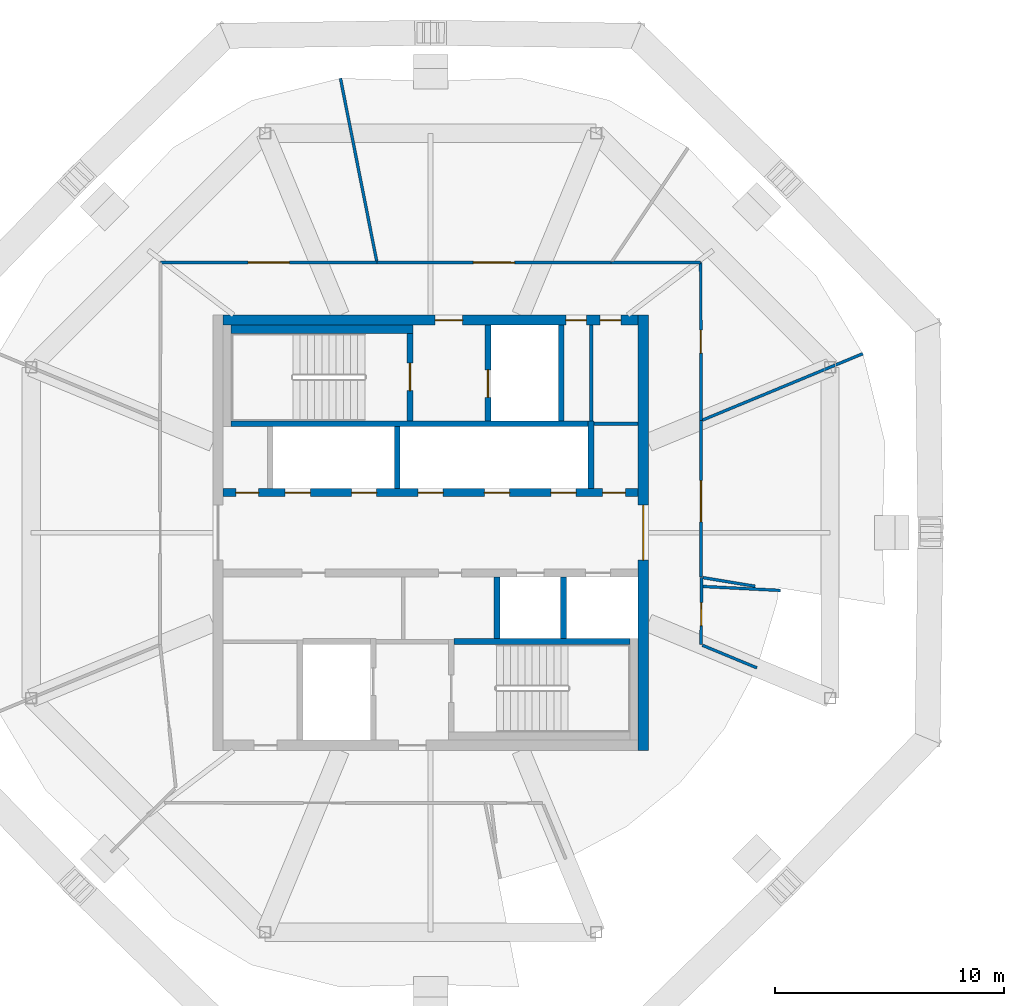
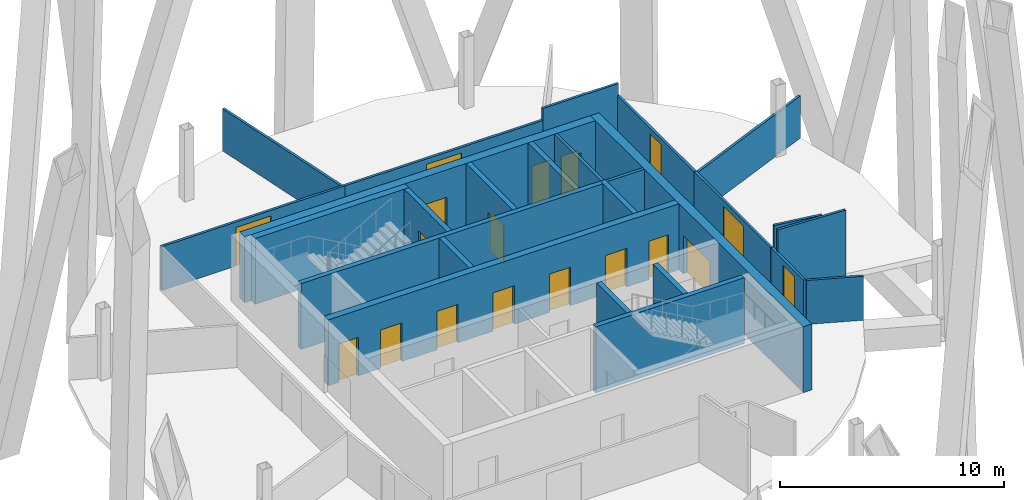
# One storey, part 5 of 11: 26 walls, 18 doors, 18 openings.
"""IFC4 building model written with IfcOpenShell, lengths in metres."""

from ifc_helpers import new_model, si_unit, direction, frame, frame_2d, origin, place, context, subcontext, project, spatial, rectangle, extrude, material, layer, layer_set, type_object, element, fill, save


model = new_model("IFC4")

# Units and contexts
model_context = context("Model", 3, precision=1e-05, world=origin(), true_north=direction((0.0, 1.0)))
body_context = subcontext(model_context, "Body", "Model", "MODEL_VIEW")
ifc_project = project(units=[si_unit("LENGTHUNIT", "METRE"), si_unit("AREAUNIT", "SQUARE_METRE"), si_unit("VOLUMEUNIT", "CUBIC_METRE"), si_unit("PLANEANGLEUNIT", "RADIAN"), si_unit("MASSUNIT", "GRAM", prefix="KILO")], contexts=[model_context])

# Site, building, storey
site_placement = place(None, origin())
site = spatial("IfcSite", under=ifc_project, at=site_placement, CompositionType="ELEMENT")
building_placement = place(site_placement, origin())
building = spatial("IfcBuilding", under=site, at=building_placement, Name="Ogive Gate Towers", CompositionType="ELEMENT")
storey_placement = place(building_placement, frame((0.0, 0.0, 244.5)))
storey = spatial("IfcBuildingStorey", under=building, at=storey_placement, Name="L58", CompositionType="ELEMENT", Elevation=244.5)

# Wall, openings, doors
ifc_material_1 = material(Name="Concrete C60/75", Category="concrete")
ifc_layer_1 = layer(ifc_material_1, 0.449951171875)
ifc_layer_set_1 = layer_set([ifc_layer_1], Name="Core wall 450 mm")
wall_type_1 = type_object("IfcWallType", Name="Core wall 450 mm", PredefinedType="SHEAR", material=ifc_layer_set_1)
wall_1_placement = place(storey_placement, frame((-45.050048828125, 9.27490234375, 0.0), z_axis=(0.0, 0.0, 1.0), x_axis=(1.0, 0.0, 0.0)))
wall_1 = element("IfcWall", 1, at=wall_1_placement, inside=storey, type_object=wall_type_1, Name="T1 L58 Core wall 450 mm", PredefinedType="SHEAR", context=body_context, shape_type="SweptSolid", body=[
    extrude(rectangle(XDim=18.10009765625, YDim=0.449951171875, at=frame_2d((9.050048828125, 0.0))), origin(), (0.0, 0.0, 1.0), 3.60009765625),
])
opening_1_placement = place(wall_1_placement, frame((9.25, 0.0, 0.0)))
opening_1 = element("IfcOpeningElement", 2, at=opening_1_placement, cuts=wall_1, Name="Opening KD-T1-L58-18", PredefinedType="OPENING", context=body_context, shape_type="SweptSolid", body=[
    extrude(rectangle(XDim=1.199951171875, YDim=2.10009765625, at=frame_2d((0.60009765625, 1.050048828125))), frame((0.0, 0.23486328125, 0.0), z_axis=(0.0, -1.0, 0.0), x_axis=(1.0, 0.0, 0.0)), (0.0, 0.0, 1.0), 0.469970703125),
])
opening_2_placement = place(wall_1_placement, frame((14.949951171875, 0.0, 0.0)))
opening_2 = element("IfcOpeningElement", 3, at=opening_2_placement, cuts=wall_1, Name="Opening KD-T1-L58-20", PredefinedType="OPENING", context=body_context, shape_type="SweptSolid", body=[
    extrude(rectangle(XDim=0.89990234375, YDim=2.10009765625, at=frame_2d((0.449951171875, 1.050048828125))), frame((0.0, 0.23486328125, 0.0), z_axis=(0.0, -1.0, 0.0), x_axis=(1.0, 0.0, 0.0)), (0.0, 0.0, 1.0), 0.469970703125),
])
opening_3_placement = place(wall_1_placement, frame((16.449951171875, 0.0, 0.0)))
opening_3 = element("IfcOpeningElement", 4, at=opening_3_placement, cuts=wall_1, Name="Opening KD-T1-L58-21", PredefinedType="OPENING", context=body_context, shape_type="SweptSolid", body=[
    extrude(rectangle(XDim=0.89990234375, YDim=2.10009765625, at=frame_2d((0.449951171875, 1.050048828125))), frame((0.0, 0.23486328125, 0.0), z_axis=(0.0, -1.0, 0.0), x_axis=(1.0, 0.0, 0.0)), (0.0, 0.0, 1.0), 0.469970703125),
])
ifc_material_2 = material(Name="Timber door", Category="wood")
door_type_1 = type_object("IfcDoorType", Name="Core WC door 900 x 2100", OperationType="NOTDEFINED", PredefinedType="DOOR", material=ifc_material_2)
door_1_placement = place(opening_2_placement, origin())
door_1 = element("IfcDoor", 5, at=door_1_placement, inside=storey, type_object=door_type_1, Name="T1 L58 Core door", OperationType="SINGLE_SWING_LEFT", OverallHeight=2.10009765625, OverallWidth=0.89990234375, PredefinedType="DOOR", context=body_context, shape_type="SweptSolid", body=[
    extrude(rectangle(XDim=0.89990234375, YDim=2.10009765625, at=frame_2d((0.449951171875, 1.050048828125))), frame((0.0, 0.02490234375, 0.0), z_axis=(0.0, -1.0, 0.0), x_axis=(1.0, 0.0, 0.0)), (0.0, 0.0, 1.0), 0.050048828125),
])
fill(opening_2, door_1)
door_2_placement = place(opening_3_placement, origin())
door_2 = element("IfcDoor", 6, at=door_2_placement, inside=storey, type_object=door_type_1, Name="T1 L58 Core door", OperationType="SINGLE_SWING_RIGHT", OverallHeight=2.10009765625, OverallWidth=0.89990234375, PredefinedType="DOOR", context=body_context, shape_type="SweptSolid", body=[
    extrude(rectangle(XDim=0.89990234375, YDim=2.10009765625, at=frame_2d((0.449951171875, 1.050048828125))), frame((0.0, 0.02490234375, 0.0), z_axis=(0.0, -1.0, 0.0), x_axis=(1.0, 0.0, 0.0)), (0.0, 0.0, 1.0), 0.050048828125),
])
fill(opening_3, door_2)
ifc_material_3 = material(Name="Steel fire door", Category="steel")
door_type_2 = type_object("IfcDoorType", Name="Core door FD60S 1200 x 2100", OperationType="NOTDEFINED", PredefinedType="DOOR", material=ifc_material_3)
door_3_placement = place(opening_1_placement, origin())
door_3 = element("IfcDoor", 7, at=door_3_placement, inside=storey, type_object=door_type_2, Name="T1 L58 Fire-fighting lobby door", OperationType="SINGLE_SWING_LEFT", OverallHeight=2.10009765625, OverallWidth=1.199951171875, PredefinedType="DOOR", context=body_context, shape_type="SweptSolid", body=[
    extrude(rectangle(XDim=1.199951171875, YDim=2.10009765625, at=frame_2d((0.60009765625, 1.050048828125))), frame((0.0, 0.02490234375, 0.0), z_axis=(0.0, -1.0, 0.0), x_axis=(1.0, 0.0, 0.0)), (0.0, 0.0, 1.0), 0.050048828125),
])
fill(opening_1, door_3)

# Wall, opening, door
wall_2_placement = place(storey_placement, frame((-26.72509765625, -9.5, 0.0), z_axis=(0.0, 0.0, 1.0), x_axis=(0.0, 1.0, 0.0)))
wall_2 = element("IfcWall", 8, at=wall_2_placement, inside=storey, type_object=wall_type_1, Name="T1 L58 Core wall 450 mm", PredefinedType="SHEAR", context=body_context, shape_type="SweptSolid", body=[
    extrude(rectangle(XDim=19.0, YDim=0.449951171875, at=frame_2d((9.5, 0.0))), origin(), (0.0, 0.0, 1.0), 3.60009765625),
])
opening_4_placement = place(wall_2_placement, frame((8.300048828125, 0.0, 0.0)))
opening_4 = element("IfcOpeningElement", 9, at=opening_4_placement, cuts=wall_2, Name="Opening KD-T1-L58-02", PredefinedType="OPENING", context=body_context, shape_type="SweptSolid", body=[
    extrude(rectangle(XDim=2.39990234375, YDim=2.10009765625, at=frame_2d((1.199951171875, 1.050048828125))), frame((0.0, 0.23486328125, 0.0), z_axis=(0.0, -1.0, 0.0), x_axis=(1.0, 0.0, 0.0)), (0.0, 0.0, 1.0), 0.469970703125),
])
door_type_3 = type_object("IfcDoorType", Name="Core double door FD60S 2400 x 2100", OperationType="DOUBLE_DOOR_SINGLE_SWING", PredefinedType="DOOR", material=ifc_material_3)
door_4_placement = place(opening_4_placement, origin())
door_4 = element("IfcDoor", 10, at=door_4_placement, inside=storey, type_object=door_type_3, Name="T1 L58 Core door double", OperationType="DOUBLE_DOOR_SINGLE_SWING", OverallHeight=2.10009765625, OverallWidth=2.39990234375, PredefinedType="DOOR", context=body_context, shape_type="SweptSolid", body=[
    extrude(rectangle(XDim=2.39990234375, YDim=2.10009765625, at=frame_2d((1.199951171875, 1.050048828125))), frame((0.0, 0.02490234375, 0.0), z_axis=(0.0, -1.0, 0.0), x_axis=(1.0, 0.0, 0.0)), (0.0, 0.0, 1.0), 0.050048828125),
])
fill(opening_4, door_4)

# Walls
ifc_material_4 = material(Name="Gypsum board partition")
ifc_layer_2 = layer(ifc_material_4, 0.125)
ifc_layer_set_2 = layer_set([ifc_layer_2], Name="Partition 125")
wall_type_2 = type_object("IfcWallType", Name="Partition 125", PredefinedType="PARTITIONING", material=ifc_layer_set_2)
wall_3_placement = place(storey_placement, frame((-17.1435546875, 7.810546875, 0.0), z_axis=(0.0, 0.0, 1.0), x_axis=(-0.923878587447, -0.382685713945, 0.0)))
element("IfcWall", 11, at=wall_3_placement, inside=storey, type_object=wall_type_2, Name="Partition T1-L58-001", PredefinedType="PARTITIONING", context=body_context, shape_type="SweptSolid", body=[
    extrude(rectangle(XDim=7.576416015625, YDim=0.125, at=frame_2d((3.7880859375, 0.0))), origin(), (0.0, 0.0, 1.0), 2.300048828125),
])
wall_4_placement = place(storey_placement, frame((-39.93408203125, 19.822998046875, 0.0), z_axis=(0.0, 0.0, 1.0), x_axis=(0.194671599634, -0.980868476553, 0.0)))
element("IfcWall", 12, at=wall_4_placement, inside=storey, type_object=wall_type_2, Name="Partition T1-L58-003", PredefinedType="PARTITIONING", context=body_context, shape_type="SweptSolid", body=[
    extrude(rectangle(XDim=8.126708984375, YDim=0.125, at=frame_2d((4.0634765625, 0.0))), origin(), (0.0, 0.0, 1.0), 2.300048828125),
])
wall_5_placement = place(storey_placement, frame((-21.763427734375, -5.89697265625, 0.0), z_axis=(0.0, 0.0, 1.0), x_axis=(-0.923865536241, 0.382717220603, 0.0)))
element("IfcWall", 13, at=wall_5_placement, inside=storey, type_object=wall_type_2, Name="Partition T1-L58-010", PredefinedType="PARTITIONING", context=body_context, shape_type="SweptSolid", body=[
    extrude(rectangle(XDim=2.576416015625, YDim=0.125, at=frame_2d((1.2880859375, 0.0))), origin(), (0.0, 0.0, 1.0), 2.39990234375),
])
wall_6_placement = place(storey_placement, frame((-20.737548828125, -2.5185546875, 0.0), z_axis=(0.0, 0.0, 1.0), x_axis=(-0.99869028618, 0.051163583637, 0.0)))
element("IfcWall", 14, at=wall_6_placement, inside=storey, type_object=wall_type_2, Name="Partition T1-L58-011", PredefinedType="PARTITIONING", context=body_context, shape_type="SweptSolid", body=[
    extrude(rectangle(XDim=3.41650390625, YDim=0.125, at=frame_2d((1.708251953125, 0.0))), origin(), (0.0, 0.0, 1.0), 3.60009765625),
])
wall_7_placement = place(storey_placement, frame((-21.844482421875, -2.3359375, 0.0), z_axis=(0.0, 0.0, 1.0), x_axis=(-0.986650274998, 0.162853415212, 0.0)))
element("IfcWall", 15, at=wall_7_placement, inside=storey, type_object=wall_type_2, Name="Partition T1-L58-012", PredefinedType="PARTITIONING", context=body_context, shape_type="SweptSolid", body=[
    extrude(rectangle(XDim=2.3056640625, YDim=0.125, at=frame_2d((1.15283203125, 0.0))), origin(), (0.0, 0.0, 1.0), 3.60009765625),
])

# Wall, opening, door
wall_8_placement = place(storey_placement, frame((-24.180908203125, -1.950439453125, 0.0), z_axis=(0.0, 0.0, 1.0), x_axis=(-0.007066667577, -0.999975030793, 0.0)))
wall_8 = element("IfcWall", 16, at=wall_8_placement, inside=storey, type_object=wall_type_2, Name="Partition T1-L58-013", PredefinedType="PARTITIONING", context=body_context, shape_type="SweptSolid", body=[
    extrude(rectangle(XDim=2.9365234375, YDim=0.125, at=frame_2d((1.46826171875, 0.0))), origin(), (0.0, 0.0, 1.0), 2.39990234375),
])
opening_5_placement = place(wall_8_placement, frame((1.10205078125, 0.0, 0.0)))
opening_5 = element("IfcOpeningElement", 17, at=opening_5_placement, cuts=wall_8, Name="Opening T1-L58-D01", PredefinedType="OPENING", context=body_context, shape_type="SweptSolid", body=[
    extrude(rectangle(XDim=1.0, YDim=2.10009765625, at=frame_2d((0.5, 1.050048828125))), frame((0.0, 0.072509765625, 0.0), z_axis=(0.0, -1.0, 0.0), x_axis=(1.0, 0.0, 0.0)), (0.0, 0.0, 1.0), 0.14501953125),
])
door_type_4 = type_object("IfcDoorType", Name="Door 1000", OperationType="NOTDEFINED", PredefinedType="DOOR", material=ifc_material_2)
door_5_placement = place(opening_5_placement, origin())
door_5 = element("IfcDoor", 18, at=door_5_placement, inside=storey, type_object=door_type_4, Name="Door T1-L58-D01", OperationType="SINGLE_SWING_LEFT", OverallHeight=2.10009765625, OverallWidth=1.0, PredefinedType="DOOR", context=body_context, shape_type="SweptSolid", body=[
    extrude(rectangle(XDim=1.0, YDim=2.10009765625, at=frame_2d((0.5, 1.050048828125))), frame((0.0, 0.02490234375, 0.0), z_axis=(0.0, -1.0, 0.0), x_axis=(1.0, 0.0, 0.0)), (0.0, 0.0, 1.0), 0.050048828125),
])
fill(opening_5, door_5)

wall_9_placement = place(storey_placement, frame((-47.780029296875, 11.780029296875, 0.0), z_axis=(0.0, 0.0, 1.0), x_axis=(0.999999381663, 0.001112058691, 0.0)))
wall_9 = element("IfcWall", 19, at=wall_9_placement, inside=storey, type_object=wall_type_2, Name="Partition T1-L58-018", PredefinedType="PARTITIONING", context=body_context, shape_type="SweptSolid", body=[
    extrude(rectangle(XDim=9.440185546875, YDim=0.125, at=frame_2d((4.72021484375, 0.0))), origin(), (0.0, 0.0, 1.0), 2.39990234375),
])
opening_6_placement = place(wall_9_placement, frame((3.820068359375, 0.0, 0.0)))
opening_6 = element("IfcOpeningElement", 20, at=opening_6_placement, cuts=wall_9, Name="Opening T1-L58-D06", PredefinedType="OPENING", context=body_context, shape_type="SweptSolid", body=[
    extrude(rectangle(XDim=1.800048828125, YDim=2.10009765625, at=frame_2d((0.89990234375, 1.050048828125))), frame((0.0, 0.072509765625, 0.0), z_axis=(0.0, -1.0, 0.0), x_axis=(1.0, 0.0, 0.0)), (0.0, 0.0, 1.0), 0.14501953125),
])
door_type_5 = type_object("IfcDoorType", Name="Door pair 1800", OperationType="NOTDEFINED", PredefinedType="DOOR", material=ifc_material_2)
door_6_placement = place(opening_6_placement, origin())
door_6 = element("IfcDoor", 21, at=door_6_placement, inside=storey, type_object=door_type_5, Name="Door T1-L58-D06", OperationType="DOUBLE_DOOR_DOUBLE_SWING", OverallHeight=2.10009765625, OverallWidth=1.800048828125, PredefinedType="DOOR", context=body_context, shape_type="SweptSolid", body=[
    extrude(rectangle(XDim=1.800048828125, YDim=2.10009765625, at=frame_2d((0.89990234375, 1.050048828125))), frame((0.0, 0.02490234375, 0.0), z_axis=(0.0, -1.0, 0.0), x_axis=(1.0, 0.0, 0.0)), (0.0, 0.0, 1.0), 0.050048828125),
])
fill(opening_6, door_6)

wall_10_placement = place(storey_placement, frame((-38.33984375, 11.79052734375, 0.0), z_axis=(0.0, 0.0, 1.0), x_axis=(0.999999369431, -0.001123004166, 0.0)))
wall_10 = element("IfcWall", 22, at=wall_10_placement, inside=storey, type_object=wall_type_2, Name="Partition T1-L58-020", PredefinedType="PARTITIONING", context=body_context, shape_type="SweptSolid", body=[
    extrude(rectangle(XDim=10.2177734375, YDim=0.125, at=frame_2d((5.10888671875, 0.0))), origin(), (0.0, 0.0, 1.0), 2.39990234375),
])
opening_7_placement = place(wall_10_placement, frame((4.208984375, 0.0, 0.0)))
opening_7 = element("IfcOpeningElement", 23, at=opening_7_placement, cuts=wall_10, Name="Opening T1-L58-D07", PredefinedType="OPENING", context=body_context, shape_type="SweptSolid", body=[
    extrude(rectangle(XDim=1.800048828125, YDim=2.10009765625, at=frame_2d((0.89990234375, 1.050048828125))), frame((0.0, 0.072509765625, 0.0), z_axis=(0.0, -1.0, 0.0), x_axis=(1.0, 0.0, 0.0)), (0.0, 0.0, 1.0), 0.14501953125),
])
door_7_placement = place(opening_7_placement, origin())
door_7 = element("IfcDoor", 24, at=door_7_placement, inside=storey, type_object=door_type_5, Name="Door T1-L58-D07", OperationType="DOUBLE_DOOR_DOUBLE_SWING", OverallHeight=2.10009765625, OverallWidth=1.800048828125, PredefinedType="DOOR", context=body_context, shape_type="SweptSolid", body=[
    extrude(rectangle(XDim=1.800048828125, YDim=2.10009765625, at=frame_2d((0.89990234375, 1.050048828125))), frame((0.0, 0.02490234375, 0.0), z_axis=(0.0, -1.0, 0.0), x_axis=(1.0, 0.0, 0.0)), (0.0, 0.0, 1.0), 0.050048828125),
])
fill(opening_7, door_7)

wall_11_placement = place(storey_placement, frame((-24.219970703125, 11.780029296875, 0.0), z_axis=(0.0, 0.0, 1.0), x_axis=(0.002762713928, -0.999996183699, 0.0)))
wall_11 = element("IfcWall", 25, at=wall_11_placement, inside=storey, type_object=wall_type_2, Name="Partition T1-L58-021", PredefinedType="PARTITIONING", context=body_context, shape_type="SweptSolid", body=[
    extrude(rectangle(XDim=6.892822265625, YDim=0.125, at=frame_2d((3.4462890625, 0.0))), origin(), (0.0, 0.0, 1.0), 2.39990234375),
])
opening_8_placement = place(wall_11_placement, frame((2.946044921875, 0.0, 0.0)))
opening_8 = element("IfcOpeningElement", 26, at=opening_8_placement, cuts=wall_11, Name="Opening T1-L58-D08", PredefinedType="OPENING", context=body_context, shape_type="SweptSolid", body=[
    extrude(rectangle(XDim=1.0, YDim=2.10009765625, at=frame_2d((0.5, 1.050048828125))), frame((0.0, 0.072509765625, 0.0), z_axis=(0.0, -1.0, 0.0), x_axis=(1.0, 0.0, 0.0)), (0.0, 0.0, 1.0), 0.14501953125),
])
door_8_placement = place(opening_8_placement, origin())
door_8 = element("IfcDoor", 27, at=door_8_placement, inside=storey, type_object=door_type_4, Name="Door T1-L58-D08", OperationType="SINGLE_SWING_RIGHT", OverallHeight=2.10009765625, OverallWidth=1.0, PredefinedType="DOOR", context=body_context, shape_type="SweptSolid", body=[
    extrude(rectangle(XDim=1.0, YDim=2.10009765625, at=frame_2d((0.5, 1.050048828125))), frame((0.0, 0.02490234375, 0.0), z_axis=(0.0, -1.0, 0.0), x_axis=(1.0, 0.0, 0.0)), (0.0, 0.0, 1.0), 0.050048828125),
])
fill(opening_8, door_8)

# Wall
wall_12_placement = place(storey_placement, frame((-28.1220703125, 11.779052734375, 0.0), z_axis=(0.0, 0.0, 1.0), x_axis=(0.999999968683, 0.0002502659, 0.0)))
element("IfcWall", 28, at=wall_12_placement, inside=storey, type_object=wall_type_2, Name="Partition T1-L58-022", PredefinedType="PARTITIONING", context=body_context, shape_type="SweptSolid", body=[
    extrude(rectangle(XDim=3.902099609375, YDim=0.125, at=frame_2d((1.951171875, 0.0))), origin(), (0.0, 0.0, 1.0), 3.050048828125),
])

# Wall, opening, door
wall_13_placement = place(storey_placement, frame((-24.200927734375, 4.88720703125, 0.0), z_axis=(0.0, 0.0, 1.0), x_axis=(-0.001358888747, -0.99999907671, 0.0)))
wall_13 = element("IfcWall", 29, at=wall_13_placement, inside=storey, type_object=wall_type_2, Name="Partition T1-L58-023", PredefinedType="PARTITIONING", context=body_context, shape_type="SweptSolid", body=[
    extrude(rectangle(XDim=6.8271484375, YDim=0.125, at=frame_2d((3.41357421875, 0.0))), origin(), (0.0, 0.0, 1.0), 2.39990234375),
])
opening_9_placement = place(wall_13_placement, frame((2.614013671875, 0.0, 0.0)))
opening_9 = element("IfcOpeningElement", 30, at=opening_9_placement, cuts=wall_13, Name="Opening T1-L58-D09", PredefinedType="OPENING", context=body_context, shape_type="SweptSolid", body=[
    extrude(rectangle(XDim=1.800048828125, YDim=2.10009765625, at=frame_2d((0.89990234375, 1.050048828125))), frame((0.0, 0.072509765625, 0.0), z_axis=(0.0, -1.0, 0.0), x_axis=(1.0, 0.0, 0.0)), (0.0, 0.0, 1.0), 0.14501953125),
])
door_9_placement = place(opening_9_placement, origin())
door_9 = element("IfcDoor", 31, at=door_9_placement, inside=storey, type_object=door_type_5, Name="Door T1-L58-D09", OperationType="DOUBLE_DOOR_DOUBLE_SWING", OverallHeight=2.10009765625, OverallWidth=1.800048828125, PredefinedType="DOOR", context=body_context, shape_type="SweptSolid", body=[
    extrude(rectangle(XDim=1.800048828125, YDim=2.10009765625, at=frame_2d((0.89990234375, 1.050048828125))), frame((0.0, 0.02490234375, 0.0), z_axis=(0.0, -1.0, 0.0), x_axis=(1.0, 0.0, 0.0)), (0.0, 0.0, 1.0), 0.050048828125),
])
fill(opening_9, door_9)

# Walls
ifc_layer_3 = layer(ifc_material_4, 0.14990234375)
ifc_layer_set_3 = layer_set([ifc_layer_3], Name="Room partition 150 mm")
wall_type_3 = type_object("IfcWallType", Name="Room partition 150 mm", PredefinedType="PARTITIONING", material=ifc_layer_set_3)
wall_14_placement = place(storey_placement, frame((-28.875, 4.75, 0.0), z_axis=(0.0, 0.0, 1.0), x_axis=(1.0, 0.0, 0.0)))
element("IfcWall", 32, at=wall_14_placement, inside=storey, type_object=wall_type_3, Name="T1 L58 Room partition 150 mm", PredefinedType="PARTITIONING", context=body_context, shape_type="SweptSolid", body=[
    extrude(rectangle(XDim=1.925048828125, YDim=0.14990234375, at=frame_2d((0.96240234375, 0.0))), origin(), (0.0, 0.0, 1.0), 3.60009765625),
])
wall_15_placement = place(storey_placement, frame((-29.0, 4.875, 0.0), z_axis=(0.0, 0.0, 1.0), x_axis=(0.0, 1.0, 0.0)))
element("IfcWall", 33, at=wall_15_placement, inside=storey, type_object=wall_type_3, Name="T1 L58 Room partition 150 mm", PredefinedType="PARTITIONING", context=body_context, shape_type="SweptSolid", body=[
    extrude(rectangle(XDim=4.175048828125, YDim=0.14990234375, at=frame_2d((2.08740234375, 0.0))), origin(), (0.0, 0.0, 1.0), 3.60009765625),
])
ifc_layer_4 = layer(ifc_material_1, 0.25)
ifc_layer_set_4 = layer_set([ifc_layer_4], Name="Shaft wall 250 mm")
wall_type_4 = type_object("IfcWallType", Name="Shaft wall 250 mm", PredefinedType="SHEAR", material=ifc_layer_set_4)
wall_16_placement = place(storey_placement, frame((-34.97509765625, -4.75, 0.0), z_axis=(0.0, 0.0, 1.0), x_axis=(1.0, 0.0, 0.0)))
element("IfcWall", 34, at=wall_16_placement, inside=storey, type_object=wall_type_4, Name="T1 L58 Shaft wall 250 mm", PredefinedType="SHEAR", context=body_context, shape_type="SweptSolid", body=[
    extrude(rectangle(XDim=7.675048828125, YDim=0.25, at=frame_2d((3.83740234375, 0.0))), origin(), (0.0, 0.0, 1.0), 3.60009765625),
])
wall_17_placement = place(storey_placement, frame((-44.699951171875, 4.75, 0.0), z_axis=(0.0, 0.0, 1.0), x_axis=(1.0, 0.0, 0.0)))
element("IfcWall", 35, at=wall_17_placement, inside=storey, type_object=wall_type_4, Name="T1 L58 Shaft wall 250 mm", PredefinedType="SHEAR", context=body_context, shape_type="SweptSolid", body=[
    extrude(rectangle(XDim=15.574951171875, YDim=0.25, at=frame_2d((7.78759765625, 0.0))), origin(), (0.0, 0.0, 1.0), 3.60009765625),
])
wall_18_placement = place(storey_placement, frame((-37.449951171875, 1.925048828125, 0.0), z_axis=(0.0, 0.0, 1.0), x_axis=(0.0, 1.0, 0.0)))
element("IfcWall", 36, at=wall_18_placement, inside=storey, type_object=wall_type_4, Name="T1 L58 Shaft wall 250 mm", PredefinedType="SHEAR", context=body_context, shape_type="SweptSolid", body=[
    extrude(rectangle(XDim=2.699951171875, YDim=0.25, at=frame_2d((1.35009765625, 0.0))), origin(), (0.0, 0.0, 1.0), 3.60009765625),
])

# Wall, opening, door
wall_19_placement = place(storey_placement, frame((-36.89990234375, 4.875, 0.0), z_axis=(0.0, 0.0, 1.0), x_axis=(0.0, 1.0, 0.0)))
wall_19 = element("IfcWall", 37, at=wall_19_placement, inside=storey, type_object=wall_type_4, Name="T1 L58 Shaft wall 250 mm", PredefinedType="SHEAR", context=body_context, shape_type="SweptSolid", body=[
    extrude(rectangle(XDim=3.824951171875, YDim=0.25, at=frame_2d((1.91259765625, 0.0))), origin(), (0.0, 0.0, 1.0), 3.60009765625),
])
opening_10_placement = place(wall_19_placement, frame((1.324951171875, 0.0, 0.0)))
opening_10 = element("IfcOpeningElement", 38, at=opening_10_placement, cuts=wall_19, Name="Opening KD-T1-L58-16", PredefinedType="OPENING", context=body_context, shape_type="SweptSolid", body=[
    extrude(rectangle(XDim=1.199951171875, YDim=2.10009765625, at=frame_2d((0.60009765625, 1.050048828125))), frame((0.0, 0.135009765625, 0.0), z_axis=(0.0, -1.0, 0.0), x_axis=(1.0, 0.0, 0.0)), (0.0, 0.0, 1.0), 0.27001953125),
])
door_10_placement = place(opening_10_placement, origin())
door_10 = element("IfcDoor", 39, at=door_10_placement, inside=storey, type_object=door_type_2, Name="T1 L58 Stair door", OperationType="SINGLE_SWING_LEFT", OverallHeight=2.10009765625, OverallWidth=1.199951171875, PredefinedType="DOOR", context=body_context, shape_type="SweptSolid", body=[
    extrude(rectangle(XDim=1.199951171875, YDim=2.10009765625, at=frame_2d((0.60009765625, 1.050048828125))), frame((0.0, 0.02490234375, 0.0), z_axis=(0.0, -1.0, 0.0), x_axis=(1.0, 0.0, 0.0)), (0.0, 0.0, 1.0), 0.050048828125),
])
fill(opening_10, door_10)

wall_20_placement = place(storey_placement, frame((-33.5, 4.875, 0.0), z_axis=(0.0, 0.0, 1.0), x_axis=(0.0, 1.0, 0.0)))
wall_20 = element("IfcWall", 40, at=wall_20_placement, inside=storey, type_object=wall_type_4, Name="T1 L58 Shaft wall 250 mm", PredefinedType="SHEAR", context=body_context, shape_type="SweptSolid", body=[
    extrude(rectangle(XDim=4.175048828125, YDim=0.25, at=frame_2d((2.08740234375, 0.0))), origin(), (0.0, 0.0, 1.0), 3.60009765625),
])
opening_11_placement = place(wall_20_placement, frame((1.02490234375, 0.0, 0.0)))
opening_11 = element("IfcOpeningElement", 41, at=opening_11_placement, cuts=wall_20, Name="Opening LD-T1-L58-12", PredefinedType="OPENING", context=body_context, shape_type="SweptSolid", body=[
    extrude(rectangle(XDim=1.199951171875, YDim=2.10009765625, at=frame_2d((0.60009765625, 1.050048828125))), frame((0.0, 0.135009765625, 0.0), z_axis=(0.0, -1.0, 0.0), x_axis=(1.0, 0.0, 0.0)), (0.0, 0.0, 1.0), 0.27001953125),
])
ifc_material_5 = material(Name="Stainless steel landing door", Category="steel")
door_type_6 = type_object("IfcDoorType", Name="Landing door 1200 x 2100", OperationType="SLIDING_TO_LEFT", PredefinedType="DOOR", material=ifc_material_5)
door_11_placement = place(opening_11_placement, origin())
door_11 = element("IfcDoor", 42, at=door_11_placement, inside=storey, type_object=door_type_6, Name="T1 L58 Lift landing door FF1", OperationType="SLIDING_TO_LEFT", OverallHeight=2.10009765625, OverallWidth=1.199951171875, PredefinedType="DOOR", context=body_context, shape_type="SweptSolid", body=[
    extrude(rectangle(XDim=1.199951171875, YDim=2.10009765625, at=frame_2d((0.60009765625, 1.050048828125))), frame((0.0, 0.02490234375, 0.0), z_axis=(0.0, -1.0, 0.0), x_axis=(1.0, 0.0, 0.0)), (0.0, 0.0, 1.0), 0.050048828125),
])
fill(opening_11, door_11)

# Walls
wall_21_placement = place(storey_placement, frame((-33.10009765625, -4.625, 0.0), z_axis=(0.0, 0.0, 1.0), x_axis=(0.0, 1.0, 0.0)))
element("IfcWall", 43, at=wall_21_placement, inside=storey, type_object=wall_type_4, Name="T1 L58 Shaft wall 250 mm", PredefinedType="SHEAR", context=body_context, shape_type="SweptSolid", body=[
    extrude(rectangle(XDim=2.699951171875, YDim=0.25, at=frame_2d((1.35009765625, 0.0))), origin(), (0.0, 0.0, 1.0), 3.60009765625),
])
wall_22_placement = place(storey_placement, frame((-30.300048828125, 4.875, 0.0), z_axis=(0.0, 0.0, 1.0), x_axis=(0.0, 1.0, 0.0)))
element("IfcWall", 44, at=wall_22_placement, inside=storey, type_object=wall_type_4, Name="T1 L58 Shaft wall 250 mm", PredefinedType="SHEAR", context=body_context, shape_type="SweptSolid", body=[
    extrude(rectangle(XDim=4.175048828125, YDim=0.25, at=frame_2d((2.08740234375, 0.0))), origin(), (0.0, 0.0, 1.0), 3.60009765625),
])
wall_23_placement = place(storey_placement, frame((-30.199951171875, -4.625, 0.0), z_axis=(0.0, 0.0, 1.0), x_axis=(0.0, 1.0, 0.0)))
element("IfcWall", 45, at=wall_23_placement, inside=storey, type_object=wall_type_4, Name="T1 L58 Shaft wall 250 mm", PredefinedType="SHEAR", context=body_context, shape_type="SweptSolid", body=[
    extrude(rectangle(XDim=2.699951171875, YDim=0.25, at=frame_2d((1.35009765625, 0.0))), origin(), (0.0, 0.0, 1.0), 3.60009765625),
])
wall_24_placement = place(storey_placement, frame((-29.0, 1.925048828125, 0.0), z_axis=(0.0, 0.0, 1.0), x_axis=(0.0, 1.0, 0.0)))
element("IfcWall", 46, at=wall_24_placement, inside=storey, type_object=wall_type_4, Name="T1 L58 Shaft wall 250 mm", PredefinedType="SHEAR", context=body_context, shape_type="SweptSolid", body=[
    extrude(rectangle(XDim=2.949951171875, YDim=0.25, at=frame_2d((1.47509765625, 0.0))), origin(), (0.0, 0.0, 1.0), 3.60009765625),
])

# Wall, openings, doors
ifc_layer_5 = layer(ifc_material_1, 0.35009765625)
ifc_layer_set_5 = layer_set([ifc_layer_5], Name="Spine wall 350 mm")
wall_type_5 = type_object("IfcWallType", Name="Spine wall 350 mm", PredefinedType="SHEAR", material=ifc_layer_set_5)
wall_25_placement = place(storey_placement, frame((-45.050048828125, 1.75, 0.0), z_axis=(0.0, 0.0, 1.0), x_axis=(1.0, 0.0, 0.0)))
wall_25 = element("IfcWall", 47, at=wall_25_placement, inside=storey, type_object=wall_type_5, Name="T1 L58 Spine wall 350 mm", PredefinedType="SHEAR", context=body_context, shape_type="SweptSolid", body=[
    extrude(rectangle(XDim=18.10009765625, YDim=0.35009765625, at=frame_2d((9.050048828125, 0.0))), origin(), (0.0, 0.0, 1.0), 3.60009765625),
])
opening_12_placement = place(wall_25_placement, frame((0.550048828125, 0.0, 0.0)))
opening_12 = element("IfcOpeningElement", 48, at=opening_12_placement, cuts=wall_25, Name="Opening KD-T1-L58-03", PredefinedType="OPENING", context=body_context, shape_type="SweptSolid", body=[
    extrude(rectangle(XDim=1.0, YDim=2.10009765625, at=frame_2d((0.5, 1.050048828125))), frame((0.0, 0.18505859375, 0.0), z_axis=(0.0, -1.0, 0.0), x_axis=(1.0, 0.0, 0.0)), (0.0, 0.0, 1.0), 0.3701171875),
])
opening_13_placement = place(wall_25_placement, frame((2.699951171875, 0.0, 0.0)))
opening_13 = element("IfcOpeningElement", 49, at=opening_13_placement, cuts=wall_25, Name="Opening LD-T1-L58-04", PredefinedType="OPENING", context=body_context, shape_type="SweptSolid", body=[
    extrude(rectangle(XDim=1.10009765625, YDim=2.10009765625, at=frame_2d((0.550048828125, 1.050048828125))), frame((0.0, 0.18505859375, 0.0), z_axis=(0.0, -1.0, 0.0), x_axis=(1.0, 0.0, 0.0)), (0.0, 0.0, 1.0), 0.3701171875),
])
opening_14_placement = place(wall_25_placement, frame((5.60009765625, 0.0, 0.0)))
opening_14 = element("IfcOpeningElement", 50, at=opening_14_placement, cuts=wall_25, Name="Opening LD-T1-L58-05", PredefinedType="OPENING", context=body_context, shape_type="SweptSolid", body=[
    extrude(rectangle(XDim=1.10009765625, YDim=2.10009765625, at=frame_2d((0.550048828125, 1.050048828125))), frame((0.0, 0.18505859375, 0.0), z_axis=(0.0, -1.0, 0.0), x_axis=(1.0, 0.0, 0.0)), (0.0, 0.0, 1.0), 0.3701171875),
])
opening_15_placement = place(wall_25_placement, frame((8.5, 0.0, 0.0)))
opening_15 = element("IfcOpeningElement", 51, at=opening_15_placement, cuts=wall_25, Name="Opening LD-T1-L58-06", PredefinedType="OPENING", context=body_context, shape_type="SweptSolid", body=[
    extrude(rectangle(XDim=1.10009765625, YDim=2.10009765625, at=frame_2d((0.550048828125, 1.050048828125))), frame((0.0, 0.18505859375, 0.0), z_axis=(0.0, -1.0, 0.0), x_axis=(1.0, 0.0, 0.0)), (0.0, 0.0, 1.0), 0.3701171875),
])
opening_16_placement = place(wall_25_placement, frame((11.39990234375, 0.0, 0.0)))
opening_16 = element("IfcOpeningElement", 52, at=opening_16_placement, cuts=wall_25, Name="Opening LD-T1-L58-07", PredefinedType="OPENING", context=body_context, shape_type="SweptSolid", body=[
    extrude(rectangle(XDim=1.10009765625, YDim=2.10009765625, at=frame_2d((0.550048828125, 1.050048828125))), frame((0.0, 0.18505859375, 0.0), z_axis=(0.0, -1.0, 0.0), x_axis=(1.0, 0.0, 0.0)), (0.0, 0.0, 1.0), 0.3701171875),
])
opening_17_placement = place(wall_25_placement, frame((14.300048828125, 0.0, 0.0)))
opening_17 = element("IfcOpeningElement", 53, at=opening_17_placement, cuts=wall_25, Name="Opening LD-T1-L58-08", PredefinedType="OPENING", context=body_context, shape_type="SweptSolid", body=[
    extrude(rectangle(XDim=1.10009765625, YDim=2.10009765625, at=frame_2d((0.550048828125, 1.050048828125))), frame((0.0, 0.18505859375, 0.0), z_axis=(0.0, -1.0, 0.0), x_axis=(1.0, 0.0, 0.0)), (0.0, 0.0, 1.0), 0.3701171875),
])
opening_18_placement = place(wall_25_placement, frame((16.550048828125, 0.0, 0.0)))
opening_18 = element("IfcOpeningElement", 54, at=opening_18_placement, cuts=wall_25, Name="Opening KD-T1-L58-09", PredefinedType="OPENING", context=body_context, shape_type="SweptSolid", body=[
    extrude(rectangle(XDim=1.0, YDim=2.10009765625, at=frame_2d((0.5, 1.050048828125))), frame((0.0, 0.18505859375, 0.0), z_axis=(0.0, -1.0, 0.0), x_axis=(1.0, 0.0, 0.0)), (0.0, 0.0, 1.0), 0.3701171875),
])
door_type_7 = type_object("IfcDoorType", Name="Core door FD60S 1000 x 2100", OperationType="NOTDEFINED", PredefinedType="DOOR", material=ifc_material_3)
door_12_placement = place(opening_12_placement, origin())
door_12 = element("IfcDoor", 55, at=door_12_placement, inside=storey, type_object=door_type_7, Name="T1 L58 Core door", OperationType="SINGLE_SWING_RIGHT", OverallHeight=2.10009765625, OverallWidth=1.0, PredefinedType="DOOR", context=body_context, shape_type="SweptSolid", body=[
    extrude(rectangle(XDim=1.0, YDim=2.10009765625, at=frame_2d((0.5, 1.050048828125))), frame((0.0, 0.02490234375, 0.0), z_axis=(0.0, -1.0, 0.0), x_axis=(1.0, 0.0, 0.0)), (0.0, 0.0, 1.0), 0.050048828125),
])
fill(opening_12, door_12)
door_13_placement = place(opening_18_placement, origin())
door_13 = element("IfcDoor", 56, at=door_13_placement, inside=storey, type_object=door_type_7, Name="T1 L58 Core door", OperationType="SINGLE_SWING_RIGHT", OverallHeight=2.10009765625, OverallWidth=1.0, PredefinedType="DOOR", context=body_context, shape_type="SweptSolid", body=[
    extrude(rectangle(XDim=1.0, YDim=2.10009765625, at=frame_2d((0.5, 1.050048828125))), frame((0.0, 0.02490234375, 0.0), z_axis=(0.0, -1.0, 0.0), x_axis=(1.0, 0.0, 0.0)), (0.0, 0.0, 1.0), 0.050048828125),
])
fill(opening_18, door_13)
door_type_8 = type_object("IfcDoorType", Name="Landing door 1100 x 2100", OperationType="SLIDING_TO_LEFT", PredefinedType="DOOR", material=ifc_material_5)
door_14_placement = place(opening_13_placement, origin())
door_14 = element("IfcDoor", 57, at=door_14_placement, inside=storey, type_object=door_type_8, Name="T1 L58 Lift landing door B1", OperationType="SLIDING_TO_LEFT", OverallHeight=2.10009765625, OverallWidth=1.10009765625, PredefinedType="DOOR", context=body_context, shape_type="SweptSolid", body=[
    extrude(rectangle(XDim=1.10009765625, YDim=2.10009765625, at=frame_2d((0.550048828125, 1.050048828125))), frame((0.0, 0.02490234375, 0.0), z_axis=(0.0, -1.0, 0.0), x_axis=(1.0, 0.0, 0.0)), (0.0, 0.0, 1.0), 0.050048828125),
])
fill(opening_13, door_14)
door_15_placement = place(opening_14_placement, origin())
door_15 = element("IfcDoor", 58, at=door_15_placement, inside=storey, type_object=door_type_8, Name="T1 L58 Lift landing door B2", OperationType="SLIDING_TO_LEFT", OverallHeight=2.10009765625, OverallWidth=1.10009765625, PredefinedType="DOOR", context=body_context, shape_type="SweptSolid", body=[
    extrude(rectangle(XDim=1.10009765625, YDim=2.10009765625, at=frame_2d((0.550048828125, 1.050048828125))), frame((0.0, 0.02490234375, 0.0), z_axis=(0.0, -1.0, 0.0), x_axis=(1.0, 0.0, 0.0)), (0.0, 0.0, 1.0), 0.050048828125),
])
fill(opening_14, door_15)
door_16_placement = place(opening_15_placement, origin())
door_16 = element("IfcDoor", 59, at=door_16_placement, inside=storey, type_object=door_type_8, Name="T1 L58 Lift landing door B3", OperationType="SLIDING_TO_LEFT", OverallHeight=2.10009765625, OverallWidth=1.10009765625, PredefinedType="DOOR", context=body_context, shape_type="SweptSolid", body=[
    extrude(rectangle(XDim=1.10009765625, YDim=2.10009765625, at=frame_2d((0.550048828125, 1.050048828125))), frame((0.0, 0.02490234375, 0.0), z_axis=(0.0, -1.0, 0.0), x_axis=(1.0, 0.0, 0.0)), (0.0, 0.0, 1.0), 0.050048828125),
])
fill(opening_15, door_16)
door_17_placement = place(opening_16_placement, origin())
door_17 = element("IfcDoor", 60, at=door_17_placement, inside=storey, type_object=door_type_8, Name="T1 L58 Lift landing door B4", OperationType="SLIDING_TO_LEFT", OverallHeight=2.10009765625, OverallWidth=1.10009765625, PredefinedType="DOOR", context=body_context, shape_type="SweptSolid", body=[
    extrude(rectangle(XDim=1.10009765625, YDim=2.10009765625, at=frame_2d((0.550048828125, 1.050048828125))), frame((0.0, 0.02490234375, 0.0), z_axis=(0.0, -1.0, 0.0), x_axis=(1.0, 0.0, 0.0)), (0.0, 0.0, 1.0), 0.050048828125),
])
fill(opening_16, door_17)
door_18_placement = place(opening_17_placement, origin())
door_18 = element("IfcDoor", 61, at=door_18_placement, inside=storey, type_object=door_type_8, Name="T1 L58 Lift landing door B5", OperationType="SLIDING_TO_LEFT", OverallHeight=2.10009765625, OverallWidth=1.10009765625, PredefinedType="DOOR", context=body_context, shape_type="SweptSolid", body=[
    extrude(rectangle(XDim=1.10009765625, YDim=2.10009765625, at=frame_2d((0.550048828125, 1.050048828125))), frame((0.0, 0.02490234375, 0.0), z_axis=(0.0, -1.0, 0.0), x_axis=(1.0, 0.0, 0.0)), (0.0, 0.0, 1.0), 0.050048828125),
])
fill(opening_17, door_18)

# Wall
ifc_layer_6 = layer(ifc_material_1, 0.35009765625)
ifc_layer_set_6 = layer_set([ifc_layer_6], Name="Stair wall 350 mm")
wall_type_6 = type_object("IfcWallType", Name="Stair wall 350 mm", PredefinedType="SHEAR", material=ifc_layer_set_6)
wall_26_placement = place(storey_placement, frame((-44.699951171875, 8.875, 0.0), z_axis=(0.0, 0.0, 1.0), x_axis=(1.0, 0.0, 0.0)))
element("IfcWall", 62, at=wall_26_placement, inside=storey, type_object=wall_type_6, Name="T1 L58 Stair wall 350 mm", PredefinedType="SHEAR", context=body_context, shape_type="SweptSolid", body=[
    extrude(rectangle(XDim=7.925048828125, YDim=0.35009765625, at=frame_2d((3.96240234375, 0.0))), origin(), (0.0, 0.0, 1.0), 3.60009765625),
])

save(model, "model.ifc")
